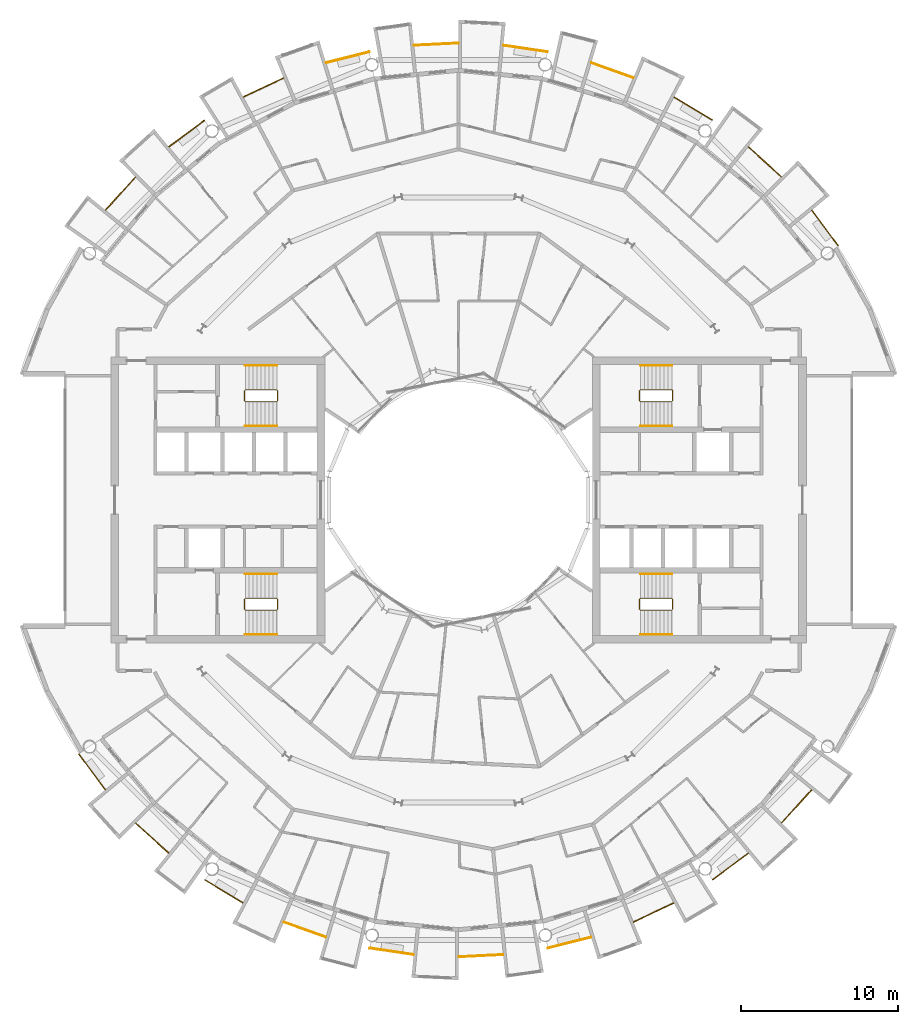
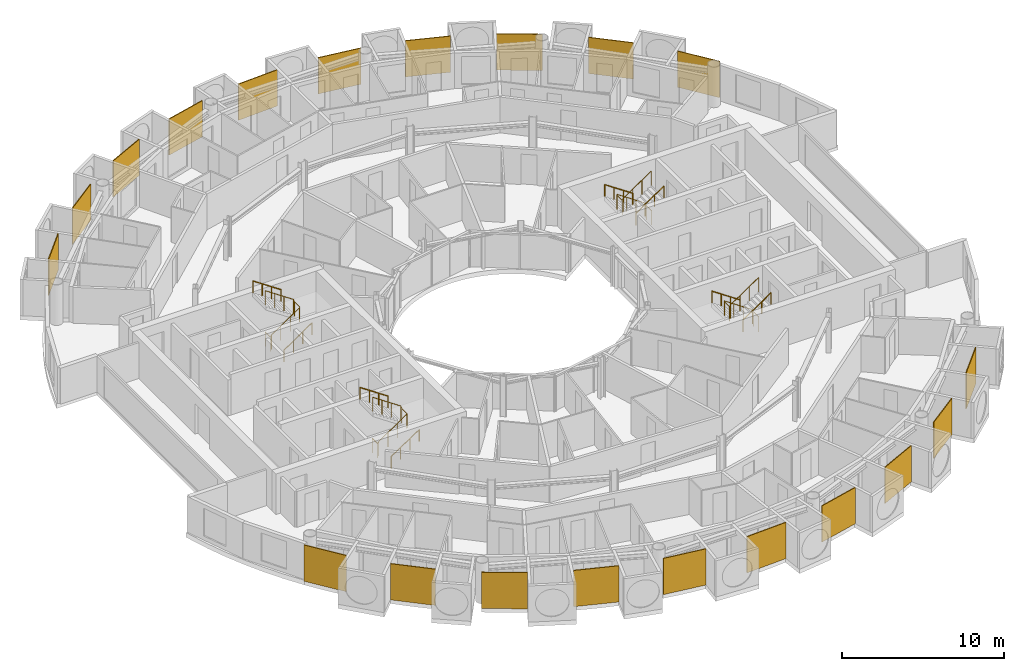
# One storey, part 26 of 26: 32 railings.
"""IFC4 building model written with IfcOpenShell, lengths in metres."""

from ifc_helpers import new_model, si_unit, direction, frame, origin, origin_2d, place, context, subcontext, project, spatial, polyline, circle, outline, extrude, material, layer, layer_set, type_object, element, save


model = new_model("IFC4")

# Units and contexts
model_context = context("Model", 3, precision=1e-05, world=origin(), true_north=direction((0.0, 1.0)))
body_context = subcontext(model_context, "Body", "Model", "MODEL_VIEW")
ifc_project = project(units=[si_unit("LENGTHUNIT", "METRE"), si_unit("AREAUNIT", "SQUARE_METRE"), si_unit("VOLUMEUNIT", "CUBIC_METRE"), si_unit("PLANEANGLEUNIT", "RADIAN"), si_unit("MASSUNIT", "GRAM", prefix="KILO")], contexts=[model_context])

# Site, building, storey
site_placement = place(None, origin())
site = spatial("IfcSite", under=ifc_project, at=site_placement, CompositionType="ELEMENT")
building_placement = place(site_placement, origin())
building = spatial("IfcBuilding", under=site, at=building_placement, Name="Maasbend Ring Residences", CompositionType="ELEMENT")
storey_placement = place(building_placement, frame((0.0, 0.0, 154.35009765625)))
storey = spatial("IfcBuildingStorey", under=building, at=storey_placement, Name="L44", CompositionType="ELEMENT", Elevation=154.35009765625)

# Railings
ifc_material_1 = material(Name="Pale anodised perforated aluminium", Category="aluminium")
ifc_layer = layer(ifc_material_1, 0.06005859375)
ifc_layer_set = layer_set([ifc_layer], Name="SCREEN-P")
railing_type_1 = type_object("IfcRailingType", Name="SCREEN-P", PredefinedType="GUARDRAIL", material=ifc_layer_set)
railing_1_placement = place(storey_placement, frame((0.0, 0.0, -0.030029296875)))
element("IfcRailing", 1, at=railing_1_placement, inside=storey, type_object=railing_type_1, Name="Perforated screen guard 1", PredefinedType="GUARDRAIL", context=body_context, shape_type="SweptSolid", body=[
    extrude(outline(polyline([(24.113037109375, 16.112060546875), (22.4169921875, 18.39697265625), (22.465087890625, 18.43310546875), (24.160888671875, 16.14697265625), (24.113037109375, 16.112060546875)])), origin(), (0.0, 0.0, 1.0), 2.72998046875),
])
railing_2_placement = place(storey_placement, frame((0.0, 0.0, -0.030029296875)))
element("IfcRailing", 2, at=railing_2_placement, inside=storey, type_object=railing_type_1, Name="Perforated screen guard 2", PredefinedType="GUARDRAIL", context=body_context, shape_type="SweptSolid", body=[
    extrude(outline(polyline([(20.506103515625, 20.506103515625), (18.39697265625, 22.4169921875), (18.43798828125, 22.4619140625), (20.5458984375, 20.551025390625), (20.506103515625, 20.506103515625)])), origin(), (0.0, 0.0, 1.0), 2.72998046875),
])
railing_3_placement = place(storey_placement, frame((0.0, 0.0, -0.030029296875)))
element("IfcRailing", 3, at=railing_3_placement, inside=storey, type_object=railing_type_1, Name="Perforated screen guard 3", PredefinedType="GUARDRAIL", context=body_context, shape_type="SweptSolid", body=[
    extrude(outline(polyline([(16.112060546875, 24.113037109375), (13.6708984375, 25.575927734375), (13.700927734375, 25.626953125), (16.14208984375, 24.1640625), (16.112060546875, 24.113037109375)])), origin(), (0.0, 0.0, 1.0), 2.72998046875),
])
railing_4_placement = place(storey_placement, frame((0.0, 0.0, -0.030029296875)))
element("IfcRailing", 4, at=railing_4_placement, inside=storey, type_object=railing_type_1, Name="Perforated screen guard 4", PredefinedType="GUARDRAIL", context=body_context, shape_type="SweptSolid", body=[
    extrude(outline(polyline([(11.097900390625, 26.79296875), (8.41796875, 27.7509765625), (8.43798828125, 27.80810546875), (11.117919921875, 26.84912109375), (11.097900390625, 26.79296875)])), origin(), (0.0, 0.0, 1.0), 2.72998046875),
])
railing_5_placement = place(storey_placement, frame((0.0, 0.0, -0.030029296875)))
element("IfcRailing", 5, at=railing_5_placement, inside=storey, type_object=railing_type_1, Name="Perforated screen guard 5", PredefinedType="GUARDRAIL", context=body_context, shape_type="SweptSolid", body=[
    extrude(outline(polyline([(5.657958984375, 28.443115234375), (2.842041015625, 28.860107421875), (2.85107421875, 28.919921875), (5.666015625, 28.501953125), (5.657958984375, 28.443115234375)])), origin(), (0.0, 0.0, 1.0), 2.72998046875),
])
railing_6_placement = place(storey_placement, frame((0.0, 0.0, -0.030029296875)))
element("IfcRailing", 6, at=railing_6_placement, inside=storey, type_object=railing_type_1, Name="Perforated screen guard 6", PredefinedType="GUARDRAIL", context=body_context, shape_type="SweptSolid", body=[
    extrude(outline(polyline([(0.0, 29.0), (-2.842041015625, 28.860107421875), (-2.844970703125, 28.919921875), (-0.0029296875, 29.06005859375), (0.0, 29.0)])), origin(), (0.0, 0.0, 1.0), 2.72998046875),
])
railing_7_placement = place(storey_placement, frame((0.0, 0.0, -0.030029296875)))
element("IfcRailing", 7, at=railing_7_placement, inside=storey, type_object=railing_type_1, Name="Perforated screen guard 7", PredefinedType="GUARDRAIL", context=body_context, shape_type="SweptSolid", body=[
    extrude(outline(polyline([(-5.657958984375, 28.443115234375), (-8.41796875, 27.7509765625), (-8.43310546875, 27.80908203125), (-5.672119140625, 28.5009765625), (-5.657958984375, 28.443115234375)])), origin(), (0.0, 0.0, 1.0), 2.72998046875),
])
railing_8_placement = place(storey_placement, frame((0.0, 0.0, -0.030029296875)))
element("IfcRailing", 8, at=railing_8_placement, inside=storey, type_object=railing_type_1, Name="Perforated screen guard 8", PredefinedType="GUARDRAIL", context=body_context, shape_type="SweptSolid", body=[
    extrude(outline(polyline([(-11.097900390625, 26.79296875), (-13.6708984375, 25.575927734375), (-13.696044921875, 25.6298828125), (-11.123046875, 26.846923828125), (-11.097900390625, 26.79296875)])), origin(), (0.0, 0.0, 1.0), 2.72998046875),
])
railing_9_placement = place(storey_placement, frame((0.0, 0.0, -0.030029296875)))
element("IfcRailing", 9, at=railing_9_placement, inside=storey, type_object=railing_type_1, Name="Perforated screen guard 9", PredefinedType="GUARDRAIL", context=body_context, shape_type="SweptSolid", body=[
    extrude(outline(polyline([(-16.112060546875, 24.113037109375), (-18.39697265625, 22.4169921875), (-18.43310546875, 22.465087890625), (-16.14697265625, 24.160888671875), (-16.112060546875, 24.113037109375)])), origin(), (0.0, 0.0, 1.0), 2.72998046875),
])
railing_10_placement = place(storey_placement, frame((0.0, 0.0, -0.030029296875)))
element("IfcRailing", 10, at=railing_10_placement, inside=storey, type_object=railing_type_1, Name="Perforated screen guard 10", PredefinedType="GUARDRAIL", context=body_context, shape_type="SweptSolid", body=[
    extrude(outline(polyline([(-20.506103515625, 20.506103515625), (-22.4169921875, 18.39697265625), (-22.4619140625, 18.43798828125), (-20.551025390625, 20.5458984375), (-20.506103515625, 20.506103515625)])), origin(), (0.0, 0.0, 1.0), 2.72998046875),
])
railing_11_placement = place(storey_placement, frame((0.0, 0.0, -0.030029296875)))
element("IfcRailing", 11, at=railing_11_placement, inside=storey, type_object=railing_type_1, Name="Perforated screen guard 1", PredefinedType="GUARDRAIL", context=body_context, shape_type="SweptSolid", body=[
    extrude(outline(polyline([(-24.113037109375, -16.112060546875), (-22.4169921875, -18.39697265625), (-22.465087890625, -18.43310546875), (-24.160888671875, -16.14697265625), (-24.113037109375, -16.112060546875)])), origin(), (0.0, 0.0, 1.0), 2.72998046875),
])
railing_12_placement = place(storey_placement, frame((0.0, 0.0, -0.030029296875)))
element("IfcRailing", 12, at=railing_12_placement, inside=storey, type_object=railing_type_1, Name="Perforated screen guard 2", PredefinedType="GUARDRAIL", context=body_context, shape_type="SweptSolid", body=[
    extrude(outline(polyline([(-20.506103515625, -20.506103515625), (-18.39697265625, -22.4169921875), (-18.43798828125, -22.4619140625), (-20.5458984375, -20.551025390625), (-20.506103515625, -20.506103515625)])), origin(), (0.0, 0.0, 1.0), 2.72998046875),
])
railing_13_placement = place(storey_placement, frame((0.0, 0.0, -0.030029296875)))
element("IfcRailing", 13, at=railing_13_placement, inside=storey, type_object=railing_type_1, Name="Perforated screen guard 3", PredefinedType="GUARDRAIL", context=body_context, shape_type="SweptSolid", body=[
    extrude(outline(polyline([(-16.112060546875, -24.113037109375), (-13.6708984375, -25.575927734375), (-13.700927734375, -25.626953125), (-16.14208984375, -24.1640625), (-16.112060546875, -24.113037109375)])), origin(), (0.0, 0.0, 1.0), 2.72998046875),
])
railing_14_placement = place(storey_placement, frame((0.0, 0.0, -0.030029296875)))
element("IfcRailing", 14, at=railing_14_placement, inside=storey, type_object=railing_type_1, Name="Perforated screen guard 4", PredefinedType="GUARDRAIL", context=body_context, shape_type="SweptSolid", body=[
    extrude(outline(polyline([(-11.097900390625, -26.79296875), (-8.41796875, -27.7509765625), (-8.43798828125, -27.80810546875), (-11.117919921875, -26.84912109375), (-11.097900390625, -26.79296875)])), origin(), (0.0, 0.0, 1.0), 2.72998046875),
])
railing_15_placement = place(storey_placement, frame((0.0, 0.0, -0.030029296875)))
element("IfcRailing", 15, at=railing_15_placement, inside=storey, type_object=railing_type_1, Name="Perforated screen guard 5", PredefinedType="GUARDRAIL", context=body_context, shape_type="SweptSolid", body=[
    extrude(outline(polyline([(-5.657958984375, -28.443115234375), (-2.842041015625, -28.860107421875), (-2.85107421875, -28.919921875), (-5.666015625, -28.501953125), (-5.657958984375, -28.443115234375)])), origin(), (0.0, 0.0, 1.0), 2.72998046875),
])
railing_16_placement = place(storey_placement, frame((0.0, 0.0, -0.030029296875)))
element("IfcRailing", 16, at=railing_16_placement, inside=storey, type_object=railing_type_1, Name="Perforated screen guard 6", PredefinedType="GUARDRAIL", context=body_context, shape_type="SweptSolid", body=[
    extrude(outline(polyline([(0.0, -29.0), (2.842041015625, -28.860107421875), (2.844970703125, -28.919921875), (0.0029296875, -29.06005859375), (0.0, -29.0)])), origin(), (0.0, 0.0, 1.0), 2.72998046875),
])
railing_17_placement = place(storey_placement, frame((0.0, 0.0, -0.030029296875)))
element("IfcRailing", 17, at=railing_17_placement, inside=storey, type_object=railing_type_1, Name="Perforated screen guard 7", PredefinedType="GUARDRAIL", context=body_context, shape_type="SweptSolid", body=[
    extrude(outline(polyline([(5.657958984375, -28.443115234375), (8.41796875, -27.7509765625), (8.43310546875, -27.80908203125), (5.672119140625, -28.5009765625), (5.657958984375, -28.443115234375)])), origin(), (0.0, 0.0, 1.0), 2.72998046875),
])
railing_18_placement = place(storey_placement, frame((0.0, 0.0, -0.030029296875)))
element("IfcRailing", 18, at=railing_18_placement, inside=storey, type_object=railing_type_1, Name="Perforated screen guard 8", PredefinedType="GUARDRAIL", context=body_context, shape_type="SweptSolid", body=[
    extrude(outline(polyline([(11.097900390625, -26.79296875), (13.6708984375, -25.575927734375), (13.696044921875, -25.6298828125), (11.123046875, -26.846923828125), (11.097900390625, -26.79296875)])), origin(), (0.0, 0.0, 1.0), 2.72998046875),
])
railing_19_placement = place(storey_placement, frame((0.0, 0.0, -0.030029296875)))
element("IfcRailing", 19, at=railing_19_placement, inside=storey, type_object=railing_type_1, Name="Perforated screen guard 9", PredefinedType="GUARDRAIL", context=body_context, shape_type="SweptSolid", body=[
    extrude(outline(polyline([(16.112060546875, -24.113037109375), (18.39697265625, -22.4169921875), (18.43310546875, -22.465087890625), (16.14697265625, -24.160888671875), (16.112060546875, -24.113037109375)])), origin(), (0.0, 0.0, 1.0), 2.72998046875),
])
railing_20_placement = place(storey_placement, frame((0.0, 0.0, -0.030029296875)))
element("IfcRailing", 20, at=railing_20_placement, inside=storey, type_object=railing_type_1, Name="Perforated screen guard 10", PredefinedType="GUARDRAIL", context=body_context, shape_type="SweptSolid", body=[
    extrude(outline(polyline([(20.506103515625, -20.506103515625), (22.4169921875, -18.39697265625), (22.4619140625, -18.43798828125), (20.551025390625, -20.5458984375), (20.506103515625, -20.506103515625)])), origin(), (0.0, 0.0, 1.0), 2.72998046875),
])
ifc_material_2 = material(Name="Stainless steel 316", Category="steel")
railing_type_2 = type_object("IfcRailingType", Name="STAIR GUARD 1100", PredefinedType="GUARDRAIL", material=ifc_material_2)
railing_21_placement = place(storey_placement, frame((13.60009765625, 6.300048828125, 0.0)))
element("IfcRailing", 21, at=railing_21_placement, inside=storey, type_object=railing_type_2, Name="L44 ST-E1 stair guard 1", PredefinedType="GUARDRAIL", context=body_context, shape_type="SweptSolid", body=[
    extrude(circle(Radius=0.02392578125, at=origin_2d()), frame((0.0, 0.0, 1.076171875), z_axis=(0.0, 1.0, 0.0), x_axis=(-1.0, 0.0, 0.0)), (0.0, 0.0, 1.0), 0.64990234375),
    extrude(circle(Radius=0.02392578125, at=origin_2d()), frame((0.0, 0.64990234375, 1.076171875), z_axis=(-0.272562526181, 0.272562526181, 0.92272386912), x_axis=(-0.707106781187, -0.707106781187, 0.0)), (0.0, 0.0, 1.0), 0.18359375),
    extrude(circle(Radius=0.02392578125, at=origin_2d()), frame((-0.050048828125, 0.699951171875, 1.24560546875), z_axis=(-0.827797584762, 0.0, 0.561026878735), x_axis=(0.0, -1.0, 0.0)), (0.0, 0.0, 1.0), 2.416015625),
    extrude(circle(Radius=0.02392578125, at=origin_2d()), frame((-2.050048828125, 0.699951171875, 2.60107421875), z_axis=(-0.707106781187, -0.707106781187, 0.0), x_axis=(0.707106781187, -0.707106781187, 0.0)), (0.0, 0.0, 1.0), 0.07080078125),
    extrude(circle(Radius=0.02392578125, at=origin_2d()), frame((-2.10009765625, 0.64990234375, 2.60107421875), z_axis=(0.0, -1.0, 0.0), x_axis=(1.0, 0.0, 0.0)), (0.0, 0.0, 1.0), 0.64990234375),
    extrude(circle(Radius=0.02392578125, at=origin_2d()), frame((-2.10009765625, 0.0, 2.60107421875), z_axis=(0.272562526181, -0.272562526181, 0.92272386912), x_axis=(0.707106781187, 0.707106781187, 0.0)), (0.0, 0.0, 1.0), 0.18359375),
    extrude(circle(Radius=0.02392578125, at=origin_2d()), frame((-2.050048828125, -0.050048828125, 2.7705078125), z_axis=(0.827797584762, 0.0, 0.561026878735), x_axis=(0.0, 1.0, 0.0)), (0.0, 0.0, 1.0), 2.416015625),
    extrude(circle(Radius=0.02099609375, at=origin_2d()), origin(), (0.0, 0.0, 1.0), 1.052001953125),
    extrude(circle(Radius=0.02099609375, at=origin_2d()), frame((0.0, 0.64990234375, 0.0)), (0.0, 0.0, 1.0), 1.052001953125),
    extrude(circle(Radius=0.02099609375, at=origin_2d()), frame((-0.050048828125, 0.699951171875, 0.16943359375)), (0.0, 0.0, 1.0), 1.052001953125),
    extrude(circle(Radius=0.02099609375, at=origin_2d()), frame((-0.716796875, 0.699951171875, 0.621337890625)), (0.0, 0.0, 1.0), 1.052001953125),
    extrude(circle(Radius=0.02099609375, at=origin_2d()), frame((-1.38330078125, 0.699951171875, 1.072998046875)), (0.0, 0.0, 1.0), 1.052001953125),
    extrude(circle(Radius=0.02099609375, at=origin_2d()), frame((-2.050048828125, 0.699951171875, 1.52490234375)), (0.0, 0.0, 1.0), 1.052001953125),
    extrude(circle(Radius=0.02099609375, at=origin_2d()), frame((-2.10009765625, 0.64990234375, 1.52490234375)), (0.0, 0.0, 1.0), 1.052001953125),
    extrude(circle(Radius=0.02099609375, at=origin_2d()), frame((-2.10009765625, 0.0, 1.52490234375)), (0.0, 0.0, 1.0), 1.052001953125),
    extrude(circle(Radius=0.02099609375, at=origin_2d()), frame((-2.050048828125, -0.050048828125, 1.6943359375)), (0.0, 0.0, 1.0), 1.052001953125),
    extrude(circle(Radius=0.02099609375, at=origin_2d()), frame((-1.38330078125, -0.050048828125, 2.146240234375)), (0.0, 0.0, 1.0), 1.052001953125),
    extrude(circle(Radius=0.02099609375, at=origin_2d()), frame((-0.716796875, -0.050048828125, 2.597900390625)), (0.0, 0.0, 1.0), 1.052001953125),
    extrude(circle(Radius=0.02099609375, at=origin_2d()), frame((-0.050048828125, -0.050048828125, 3.0498046875)), (0.0, 0.0, 1.0), 1.052001953125),
])
railing_22_placement = place(storey_placement, frame((13.60009765625, -6.949951171875, 0.0)))
element("IfcRailing", 22, at=railing_22_placement, inside=storey, type_object=railing_type_2, Name="L44 ST-E2 stair guard 1", PredefinedType="GUARDRAIL", context=body_context, shape_type="SweptSolid", body=[
    extrude(circle(Radius=0.02392578125, at=origin_2d()), frame((0.0, 0.0, 1.076171875), z_axis=(0.0, 1.0, 0.0), x_axis=(-1.0, 0.0, 0.0)), (0.0, 0.0, 1.0), 0.64990234375),
    extrude(circle(Radius=0.02392578125, at=origin_2d()), frame((0.0, 0.64990234375, 1.076171875), z_axis=(-0.272562526181, 0.272562526181, 0.92272386912), x_axis=(-0.707106781187, -0.707106781187, 0.0)), (0.0, 0.0, 1.0), 0.18359375),
    extrude(circle(Radius=0.02392578125, at=origin_2d()), frame((-0.050048828125, 0.699951171875, 1.24560546875), z_axis=(-0.827797584762, 0.0, 0.561026878735), x_axis=(0.0, -1.0, 0.0)), (0.0, 0.0, 1.0), 2.416015625),
    extrude(circle(Radius=0.02392578125, at=origin_2d()), frame((-2.050048828125, 0.699951171875, 2.60107421875), z_axis=(-0.707106781187, -0.707106781187, 0.0), x_axis=(0.707106781187, -0.707106781187, 0.0)), (0.0, 0.0, 1.0), 0.07080078125),
    extrude(circle(Radius=0.02392578125, at=origin_2d()), frame((-2.10009765625, 0.64990234375, 2.60107421875), z_axis=(0.0, -1.0, 0.0), x_axis=(1.0, 0.0, 0.0)), (0.0, 0.0, 1.0), 0.64990234375),
    extrude(circle(Radius=0.02392578125, at=origin_2d()), frame((-2.10009765625, 0.0, 2.60107421875), z_axis=(0.272562526181, -0.272562526181, 0.92272386912), x_axis=(0.707106781187, 0.707106781187, 0.0)), (0.0, 0.0, 1.0), 0.18359375),
    extrude(circle(Radius=0.02392578125, at=origin_2d()), frame((-2.050048828125, -0.050048828125, 2.7705078125), z_axis=(0.827797584762, 0.0, 0.561026878735), x_axis=(0.0, 1.0, 0.0)), (0.0, 0.0, 1.0), 2.416015625),
    extrude(circle(Radius=0.02099609375, at=origin_2d()), origin(), (0.0, 0.0, 1.0), 1.052001953125),
    extrude(circle(Radius=0.02099609375, at=origin_2d()), frame((0.0, 0.64990234375, 0.0)), (0.0, 0.0, 1.0), 1.052001953125),
    extrude(circle(Radius=0.02099609375, at=origin_2d()), frame((-0.050048828125, 0.699951171875, 0.16943359375)), (0.0, 0.0, 1.0), 1.052001953125),
    extrude(circle(Radius=0.02099609375, at=origin_2d()), frame((-0.716796875, 0.699951171875, 0.621337890625)), (0.0, 0.0, 1.0), 1.052001953125),
    extrude(circle(Radius=0.02099609375, at=origin_2d()), frame((-1.38330078125, 0.699951171875, 1.072998046875)), (0.0, 0.0, 1.0), 1.052001953125),
    extrude(circle(Radius=0.02099609375, at=origin_2d()), frame((-2.050048828125, 0.699951171875, 1.52490234375)), (0.0, 0.0, 1.0), 1.052001953125),
    extrude(circle(Radius=0.02099609375, at=origin_2d()), frame((-2.10009765625, 0.64990234375, 1.52490234375)), (0.0, 0.0, 1.0), 1.052001953125),
    extrude(circle(Radius=0.02099609375, at=origin_2d()), frame((-2.10009765625, 0.0, 1.52490234375)), (0.0, 0.0, 1.0), 1.052001953125),
    extrude(circle(Radius=0.02099609375, at=origin_2d()), frame((-2.050048828125, -0.050048828125, 1.6943359375)), (0.0, 0.0, 1.0), 1.052001953125),
    extrude(circle(Radius=0.02099609375, at=origin_2d()), frame((-1.38330078125, -0.050048828125, 2.146240234375)), (0.0, 0.0, 1.0), 1.052001953125),
    extrude(circle(Radius=0.02099609375, at=origin_2d()), frame((-0.716796875, -0.050048828125, 2.597900390625)), (0.0, 0.0, 1.0), 1.052001953125),
    extrude(circle(Radius=0.02099609375, at=origin_2d()), frame((-0.050048828125, -0.050048828125, 3.0498046875)), (0.0, 0.0, 1.0), 1.052001953125),
])
railing_23_placement = place(storey_placement, frame((-13.60009765625, -6.300048828125, 0.0)))
element("IfcRailing", 23, at=railing_23_placement, inside=storey, type_object=railing_type_2, Name="L44 ST-W1 stair guard 1", PredefinedType="GUARDRAIL", context=body_context, shape_type="SweptSolid", body=[
    extrude(circle(Radius=0.02392578125, at=origin_2d()), frame((0.0, 0.0, 1.076171875), z_axis=(0.0, -1.0, 0.0), x_axis=(1.0, 0.0, 0.0)), (0.0, 0.0, 1.0), 0.64990234375),
    extrude(circle(Radius=0.02392578125, at=origin_2d()), frame((0.0, -0.64990234375, 1.076171875), z_axis=(0.272562526181, -0.272562526181, 0.92272386912), x_axis=(0.707106781187, 0.707106781187, 0.0)), (0.0, 0.0, 1.0), 0.18359375),
    extrude(circle(Radius=0.02392578125, at=origin_2d()), frame((0.050048828125, -0.699951171875, 1.24560546875), z_axis=(0.827797584762, 0.0, 0.561026878735), x_axis=(0.0, 1.0, 0.0)), (0.0, 0.0, 1.0), 2.416015625),
    extrude(circle(Radius=0.02392578125, at=origin_2d()), frame((2.050048828125, -0.699951171875, 2.60107421875), z_axis=(0.707106781187, 0.707106781187, 0.0), x_axis=(-0.707106781187, 0.707106781187, 0.0)), (0.0, 0.0, 1.0), 0.07080078125),
    extrude(circle(Radius=0.02392578125, at=origin_2d()), frame((2.10009765625, -0.64990234375, 2.60107421875), z_axis=(0.0, 1.0, 0.0), x_axis=(-1.0, 0.0, 0.0)), (0.0, 0.0, 1.0), 0.64990234375),
    extrude(circle(Radius=0.02392578125, at=origin_2d()), frame((2.10009765625, 0.0, 2.60107421875), z_axis=(-0.272562526181, 0.272562526181, 0.92272386912), x_axis=(-0.707106781187, -0.707106781187, 0.0)), (0.0, 0.0, 1.0), 0.18359375),
    extrude(circle(Radius=0.02392578125, at=origin_2d()), frame((2.050048828125, 0.050048828125, 2.7705078125), z_axis=(-0.827797584762, 0.0, 0.561026878735), x_axis=(0.0, -1.0, 0.0)), (0.0, 0.0, 1.0), 2.416015625),
    extrude(circle(Radius=0.02099609375, at=origin_2d()), origin(), (0.0, 0.0, 1.0), 1.052001953125),
    extrude(circle(Radius=0.02099609375, at=origin_2d()), frame((0.0, -0.64990234375, 0.0)), (0.0, 0.0, 1.0), 1.052001953125),
    extrude(circle(Radius=0.02099609375, at=origin_2d()), frame((0.050048828125, -0.699951171875, 0.16943359375)), (0.0, 0.0, 1.0), 1.052001953125),
    extrude(circle(Radius=0.02099609375, at=origin_2d()), frame((0.716796875, -0.699951171875, 0.621337890625)), (0.0, 0.0, 1.0), 1.052001953125),
    extrude(circle(Radius=0.02099609375, at=origin_2d()), frame((1.38330078125, -0.699951171875, 1.072998046875)), (0.0, 0.0, 1.0), 1.052001953125),
    extrude(circle(Radius=0.02099609375, at=origin_2d()), frame((2.050048828125, -0.699951171875, 1.52490234375)), (0.0, 0.0, 1.0), 1.052001953125),
    extrude(circle(Radius=0.02099609375, at=origin_2d()), frame((2.10009765625, -0.64990234375, 1.52490234375)), (0.0, 0.0, 1.0), 1.052001953125),
    extrude(circle(Radius=0.02099609375, at=origin_2d()), frame((2.10009765625, 0.0, 1.52490234375)), (0.0, 0.0, 1.0), 1.052001953125),
    extrude(circle(Radius=0.02099609375, at=origin_2d()), frame((2.050048828125, 0.050048828125, 1.6943359375)), (0.0, 0.0, 1.0), 1.052001953125),
    extrude(circle(Radius=0.02099609375, at=origin_2d()), frame((1.38330078125, 0.050048828125, 2.146240234375)), (0.0, 0.0, 1.0), 1.052001953125),
    extrude(circle(Radius=0.02099609375, at=origin_2d()), frame((0.716796875, 0.050048828125, 2.597900390625)), (0.0, 0.0, 1.0), 1.052001953125),
    extrude(circle(Radius=0.02099609375, at=origin_2d()), frame((0.050048828125, 0.050048828125, 3.0498046875)), (0.0, 0.0, 1.0), 1.052001953125),
])
railing_24_placement = place(storey_placement, frame((-13.60009765625, 6.949951171875, 0.0)))
element("IfcRailing", 24, at=railing_24_placement, inside=storey, type_object=railing_type_2, Name="L44 ST-W2 stair guard 1", PredefinedType="GUARDRAIL", context=body_context, shape_type="SweptSolid", body=[
    extrude(circle(Radius=0.02392578125, at=origin_2d()), frame((0.0, 0.0, 1.076171875), z_axis=(0.0, -1.0, 0.0), x_axis=(1.0, 0.0, 0.0)), (0.0, 0.0, 1.0), 0.64990234375),
    extrude(circle(Radius=0.02392578125, at=origin_2d()), frame((0.0, -0.64990234375, 1.076171875), z_axis=(0.272562526181, -0.272562526181, 0.92272386912), x_axis=(0.707106781187, 0.707106781187, 0.0)), (0.0, 0.0, 1.0), 0.18359375),
    extrude(circle(Radius=0.02392578125, at=origin_2d()), frame((0.050048828125, -0.699951171875, 1.24560546875), z_axis=(0.827797584762, 0.0, 0.561026878735), x_axis=(0.0, 1.0, 0.0)), (0.0, 0.0, 1.0), 2.416015625),
    extrude(circle(Radius=0.02392578125, at=origin_2d()), frame((2.050048828125, -0.699951171875, 2.60107421875), z_axis=(0.707106781187, 0.707106781187, 0.0), x_axis=(-0.707106781187, 0.707106781187, 0.0)), (0.0, 0.0, 1.0), 0.07080078125),
    extrude(circle(Radius=0.02392578125, at=origin_2d()), frame((2.10009765625, -0.64990234375, 2.60107421875), z_axis=(0.0, 1.0, 0.0), x_axis=(-1.0, 0.0, 0.0)), (0.0, 0.0, 1.0), 0.64990234375),
    extrude(circle(Radius=0.02392578125, at=origin_2d()), frame((2.10009765625, 0.0, 2.60107421875), z_axis=(-0.272562526181, 0.272562526181, 0.92272386912), x_axis=(-0.707106781187, -0.707106781187, 0.0)), (0.0, 0.0, 1.0), 0.18359375),
    extrude(circle(Radius=0.02392578125, at=origin_2d()), frame((2.050048828125, 0.050048828125, 2.7705078125), z_axis=(-0.827797584762, 0.0, 0.561026878735), x_axis=(0.0, -1.0, 0.0)), (0.0, 0.0, 1.0), 2.416015625),
    extrude(circle(Radius=0.02099609375, at=origin_2d()), origin(), (0.0, 0.0, 1.0), 1.052001953125),
    extrude(circle(Radius=0.02099609375, at=origin_2d()), frame((0.0, -0.64990234375, 0.0)), (0.0, 0.0, 1.0), 1.052001953125),
    extrude(circle(Radius=0.02099609375, at=origin_2d()), frame((0.050048828125, -0.699951171875, 0.16943359375)), (0.0, 0.0, 1.0), 1.052001953125),
    extrude(circle(Radius=0.02099609375, at=origin_2d()), frame((0.716796875, -0.699951171875, 0.621337890625)), (0.0, 0.0, 1.0), 1.052001953125),
    extrude(circle(Radius=0.02099609375, at=origin_2d()), frame((1.38330078125, -0.699951171875, 1.072998046875)), (0.0, 0.0, 1.0), 1.052001953125),
    extrude(circle(Radius=0.02099609375, at=origin_2d()), frame((2.050048828125, -0.699951171875, 1.52490234375)), (0.0, 0.0, 1.0), 1.052001953125),
    extrude(circle(Radius=0.02099609375, at=origin_2d()), frame((2.10009765625, -0.64990234375, 1.52490234375)), (0.0, 0.0, 1.0), 1.052001953125),
    extrude(circle(Radius=0.02099609375, at=origin_2d()), frame((2.10009765625, 0.0, 1.52490234375)), (0.0, 0.0, 1.0), 1.052001953125),
    extrude(circle(Radius=0.02099609375, at=origin_2d()), frame((2.050048828125, 0.050048828125, 1.6943359375)), (0.0, 0.0, 1.0), 1.052001953125),
    extrude(circle(Radius=0.02099609375, at=origin_2d()), frame((1.38330078125, 0.050048828125, 2.146240234375)), (0.0, 0.0, 1.0), 1.052001953125),
    extrude(circle(Radius=0.02099609375, at=origin_2d()), frame((0.716796875, 0.050048828125, 2.597900390625)), (0.0, 0.0, 1.0), 1.052001953125),
    extrude(circle(Radius=0.02099609375, at=origin_2d()), frame((0.050048828125, 0.050048828125, 3.0498046875)), (0.0, 0.0, 1.0), 1.052001953125),
])
ifc_material_3 = material(Name="Stainless steel 316", Category="steel")
railing_type_3 = type_object("IfcRailingType", Name="STAIR HANDRAIL 900", PredefinedType="HANDRAIL", material=ifc_material_3)
railing_25_placement = place(storey_placement, frame((13.550048828125, 8.550048828125, 0.16943359375)))
element("IfcRailing", 25, at=railing_25_placement, inside=storey, type_object=railing_type_3, Name="L44 ST-E1 stair handrail 1", PredefinedType="HANDRAIL", context=body_context, shape_type="SweptSolid", body=[
    extrude(circle(Radius=0.02392578125, at=origin_2d()), frame((0.0, 0.0, 0.8759765625), z_axis=(-0.827797584762, 0.0, 0.561026878735), x_axis=(0.0, -1.0, 0.0)), (0.0, 0.0, 1.0), 2.416015625),
    extrude(circle(Radius=0.02099609375, at=origin_2d()), origin(), (0.0, 0.0, 1.0), 0.851806640625),
    extrude(circle(Radius=0.02099609375, at=origin_2d()), frame((-0.666748046875, 0.0, 0.451904296875)), (0.0, 0.0, 1.0), 0.851806640625),
    extrude(circle(Radius=0.02099609375, at=origin_2d()), frame((-1.333251953125, 0.0, 0.903564453125)), (0.0, 0.0, 1.0), 0.851806640625),
    extrude(circle(Radius=0.02099609375, at=origin_2d()), frame((-2.0, 0.0, 1.35546875)), (0.0, 0.0, 1.0), 0.851806640625),
])
railing_26_placement = place(storey_placement, frame((11.550048828125, 4.699951171875, 1.6943359375)))
element("IfcRailing", 26, at=railing_26_placement, inside=storey, type_object=railing_type_3, Name="L44 ST-E1 stair handrail 2", PredefinedType="HANDRAIL", context=body_context, shape_type="SweptSolid", body=[
    extrude(circle(Radius=0.02392578125, at=origin_2d()), frame((0.0, 0.0, 0.8759765625), z_axis=(0.827797584762, 0.0, 0.561026878735), x_axis=(0.0, 1.0, 0.0)), (0.0, 0.0, 1.0), 2.416015625),
    extrude(circle(Radius=0.02099609375, at=origin_2d()), origin(), (0.0, 0.0, 1.0), 0.851806640625),
    extrude(circle(Radius=0.02099609375, at=origin_2d()), frame((0.666748046875, 0.0, 0.451904296875)), (0.0, 0.0, 1.0), 0.851806640625),
    extrude(circle(Radius=0.02099609375, at=origin_2d()), frame((1.333251953125, 0.0, 0.903564453125)), (0.0, 0.0, 1.0), 0.851806640625),
    extrude(circle(Radius=0.02099609375, at=origin_2d()), frame((2.0, 0.0, 1.35546875)), (0.0, 0.0, 1.0), 0.851806640625),
])
railing_27_placement = place(storey_placement, frame((13.550048828125, -4.699951171875, 0.16943359375)))
element("IfcRailing", 27, at=railing_27_placement, inside=storey, type_object=railing_type_3, Name="L44 ST-E2 stair handrail 1", PredefinedType="HANDRAIL", context=body_context, shape_type="SweptSolid", body=[
    extrude(circle(Radius=0.02392578125, at=origin_2d()), frame((0.0, 0.0, 0.8759765625), z_axis=(-0.827797584762, 0.0, 0.561026878735), x_axis=(0.0, -1.0, 0.0)), (0.0, 0.0, 1.0), 2.416015625),
    extrude(circle(Radius=0.02099609375, at=origin_2d()), origin(), (0.0, 0.0, 1.0), 0.851806640625),
    extrude(circle(Radius=0.02099609375, at=origin_2d()), frame((-0.666748046875, 0.0, 0.451904296875)), (0.0, 0.0, 1.0), 0.851806640625),
    extrude(circle(Radius=0.02099609375, at=origin_2d()), frame((-1.333251953125, 0.0, 0.903564453125)), (0.0, 0.0, 1.0), 0.851806640625),
    extrude(circle(Radius=0.02099609375, at=origin_2d()), frame((-2.0, 0.0, 1.35546875)), (0.0, 0.0, 1.0), 0.851806640625),
])
for number, where, name in (
    (28, (11.550048828125, -8.550048828125, 1.6943359375), "L44 ST-E2 stair handrail 2"),
    (29, (-13.550048828125, -8.550048828125, 0.16943359375), "L44 ST-W1 stair handrail 1"),
):
    element("IfcRailing", number, at=place(storey_placement, frame(where)), inside=storey, type_object=railing_type_3, Name=name, PredefinedType="HANDRAIL", context=body_context, shape_type="SweptSolid", body=[
        extrude(circle(Radius=0.02392578125, at=origin_2d()), frame((0.0, 0.0, 0.8759765625), z_axis=(0.827797584762, 0.0, 0.561026878735), x_axis=(0.0, 1.0, 0.0)), (0.0, 0.0, 1.0), 2.416015625),
        extrude(circle(Radius=0.02099609375, at=origin_2d()), origin(), (0.0, 0.0, 1.0), 0.851806640625),
        extrude(circle(Radius=0.02099609375, at=origin_2d()), frame((0.666748046875, 0.0, 0.451904296875)), (0.0, 0.0, 1.0), 0.851806640625),
        extrude(circle(Radius=0.02099609375, at=origin_2d()), frame((1.333251953125, 0.0, 0.903564453125)), (0.0, 0.0, 1.0), 0.851806640625),
        extrude(circle(Radius=0.02099609375, at=origin_2d()), frame((2.0, 0.0, 1.35546875)), (0.0, 0.0, 1.0), 0.851806640625),
    ])
railing_28_placement = place(storey_placement, frame((-11.550048828125, -4.699951171875, 1.6943359375)))
element("IfcRailing", 30, at=railing_28_placement, inside=storey, type_object=railing_type_3, Name="L44 ST-W1 stair handrail 2", PredefinedType="HANDRAIL", context=body_context, shape_type="SweptSolid", body=[
    extrude(circle(Radius=0.02392578125, at=origin_2d()), frame((0.0, 0.0, 0.8759765625), z_axis=(-0.827797584762, 0.0, 0.561026878735), x_axis=(0.0, -1.0, 0.0)), (0.0, 0.0, 1.0), 2.416015625),
    extrude(circle(Radius=0.02099609375, at=origin_2d()), origin(), (0.0, 0.0, 1.0), 0.851806640625),
    extrude(circle(Radius=0.02099609375, at=origin_2d()), frame((-0.666748046875, 0.0, 0.451904296875)), (0.0, 0.0, 1.0), 0.851806640625),
    extrude(circle(Radius=0.02099609375, at=origin_2d()), frame((-1.333251953125, 0.0, 0.903564453125)), (0.0, 0.0, 1.0), 0.851806640625),
    extrude(circle(Radius=0.02099609375, at=origin_2d()), frame((-2.0, 0.0, 1.35546875)), (0.0, 0.0, 1.0), 0.851806640625),
])
railing_29_placement = place(storey_placement, frame((-13.550048828125, 4.699951171875, 0.16943359375)))
element("IfcRailing", 31, at=railing_29_placement, inside=storey, type_object=railing_type_3, Name="L44 ST-W2 stair handrail 1", PredefinedType="HANDRAIL", context=body_context, shape_type="SweptSolid", body=[
    extrude(circle(Radius=0.02392578125, at=origin_2d()), frame((0.0, 0.0, 0.8759765625), z_axis=(0.827797584762, 0.0, 0.561026878735), x_axis=(0.0, 1.0, 0.0)), (0.0, 0.0, 1.0), 2.416015625),
    extrude(circle(Radius=0.02099609375, at=origin_2d()), origin(), (0.0, 0.0, 1.0), 0.851806640625),
    extrude(circle(Radius=0.02099609375, at=origin_2d()), frame((0.666748046875, 0.0, 0.451904296875)), (0.0, 0.0, 1.0), 0.851806640625),
    extrude(circle(Radius=0.02099609375, at=origin_2d()), frame((1.333251953125, 0.0, 0.903564453125)), (0.0, 0.0, 1.0), 0.851806640625),
    extrude(circle(Radius=0.02099609375, at=origin_2d()), frame((2.0, 0.0, 1.35546875)), (0.0, 0.0, 1.0), 0.851806640625),
])
railing_30_placement = place(storey_placement, frame((-11.550048828125, 8.550048828125, 1.6943359375)))
element("IfcRailing", 32, at=railing_30_placement, inside=storey, type_object=railing_type_3, Name="L44 ST-W2 stair handrail 2", PredefinedType="HANDRAIL", context=body_context, shape_type="SweptSolid", body=[
    extrude(circle(Radius=0.02392578125, at=origin_2d()), frame((0.0, 0.0, 0.8759765625), z_axis=(-0.827797584762, 0.0, 0.561026878735), x_axis=(0.0, -1.0, 0.0)), (0.0, 0.0, 1.0), 2.416015625),
    extrude(circle(Radius=0.02099609375, at=origin_2d()), origin(), (0.0, 0.0, 1.0), 0.851806640625),
    extrude(circle(Radius=0.02099609375, at=origin_2d()), frame((-0.666748046875, 0.0, 0.451904296875)), (0.0, 0.0, 1.0), 0.851806640625),
    extrude(circle(Radius=0.02099609375, at=origin_2d()), frame((-1.333251953125, 0.0, 0.903564453125)), (0.0, 0.0, 1.0), 0.851806640625),
    extrude(circle(Radius=0.02099609375, at=origin_2d()), frame((-2.0, 0.0, 1.35546875)), (0.0, 0.0, 1.0), 0.851806640625),
])

save(model, "model.ifc")
